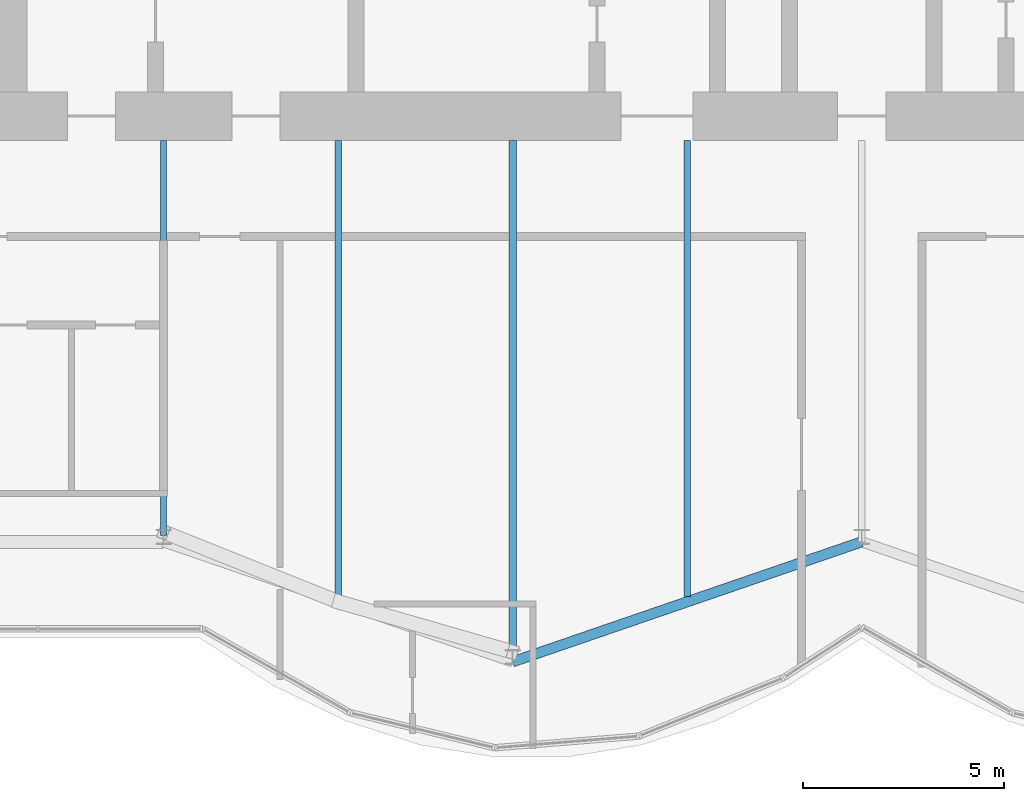
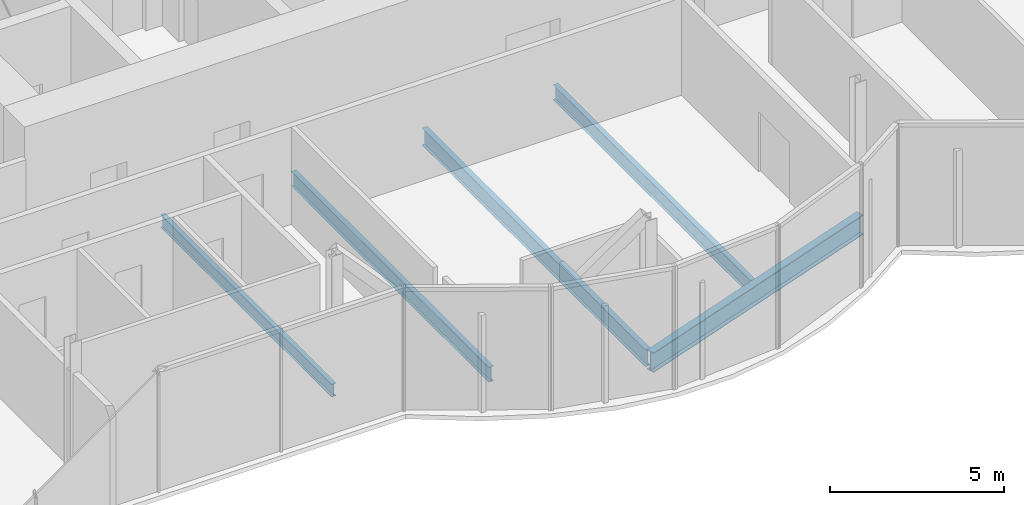
# One storey, part 4 of 16: 5 beams.
"""IFC4 building model written with IfcOpenShell, lengths in metres."""

from ifc_helpers import new_model, si_unit, direction, frame, origin, origin_2d, place, context, subcontext, project, spatial, i_section, extrude, material, material_profile, profile_set, type_object, element, save


model = new_model("IFC4")

# Units and contexts
model_context = context("Model", 3, precision=1e-05, world=origin(), true_north=direction((0.0, 1.0)))
body_context = subcontext(model_context, "Body", "Model", "MODEL_VIEW")
ifc_project = project(units=[si_unit("LENGTHUNIT", "METRE"), si_unit("AREAUNIT", "SQUARE_METRE"), si_unit("VOLUMEUNIT", "CUBIC_METRE"), si_unit("PLANEANGLEUNIT", "RADIAN"), si_unit("MASSUNIT", "GRAM", prefix="KILO")], contexts=[model_context])

# Site, building, storey
site_placement = place(None, origin())
site = spatial("IfcSite", under=ifc_project, at=site_placement, CompositionType="ELEMENT")
building_placement = place(site_placement, origin())
building = spatial("IfcBuilding", under=site, at=building_placement, Name="Bicima Exchange Tower", CompositionType="ELEMENT")
storey_placement = place(building_placement, frame((0.0, 0.0, 329.0)))
storey = spatial("IfcBuildingStorey", under=building, at=storey_placement, Name="L74", CompositionType="ELEMENT", Elevation=329.0)

# Beams
ifc_material = material(Name="Steel ASTM A992 Gr 50", Category="steel")
ifc_material_profile_1 = material_profile(ifc_material, i_section(OverallWidth=0.15283203125, OverallDepth=0.45458984375, WebThickness=0.008056640625, FlangeThickness=0.013427734375, at=origin_2d()))
ifc_profile_set_1 = profile_set([ifc_material_profile_1], Name="Steel ASTM A992 Gr 50")
beam_type_1 = type_object("IfcBeamType", Name="Floor beam W18x40", PredefinedType="JOIST", material=ifc_profile_set_1)
beam_1_placement = place(storey_placement, frame((-17.39990234375, -13.0, -0.377197265625), z_axis=(0.0, -1.0, 0.0), x_axis=(1.0, 0.0, 0.0)))
element("IfcBeam", 1, at=beam_1_placement, inside=storey, type_object=beam_type_1, Name="Floor beam", PredefinedType="JOIST", context=body_context, shape_type="SweptSolid", body=[
    extrude(i_section(OverallWidth=0.15283203125, OverallDepth=0.45458984375, WebThickness=0.008056640625, FlangeThickness=0.013427734375, at=origin_2d()), origin(), (0.0, 0.0, 1.0), 9.845458984375),
])
ifc_material_profile_2 = material_profile(ifc_material, i_section(OverallWidth=0.165771484375, OverallDepth=0.5283203125, WebThickness=0.009765625, FlangeThickness=0.013671875, at=origin_2d()))
ifc_profile_set_2 = profile_set([ifc_material_profile_2], Name="Steel ASTM A992 Gr 50")
beam_type_2 = type_object("IfcBeamType", Name="Floor beam W21x50", PredefinedType="JOIST", material=ifc_profile_set_2)
for number, where, z_axis, x_axis, name in (
    (2, (-13.050048828125, -13.0, -0.414306640625), (0.0, -1.0, 0.0), (1.0, 0.0, 0.0), "Floor beam"),
    (3, (-4.35009765625, -13.0, -0.414306640625), (0.0, -1.0, 0.0), (1.0, 0.0, 0.0), "Floor beam"),
):
    element("IfcBeam", number, at=place(storey_placement, frame(where, z_axis=z_axis, x_axis=x_axis)), inside=storey, type_object=beam_type_2, Name=name, PredefinedType="JOIST", context=body_context, shape_type="SweptSolid", body=[
        extrude(i_section(OverallWidth=0.165771484375, OverallDepth=0.5283203125, WebThickness=0.009765625, FlangeThickness=0.013671875, at=origin_2d()), origin(), (0.0, 0.0, 1.0), 11.367919921875),
    ])
ifc_material_profile_3 = material_profile(ifc_material, i_section(OverallWidth=0.177978515625, OverallDepth=0.599365234375, WebThickness=0.010009765625, FlangeThickness=0.012939453125, at=origin_2d()))
ifc_profile_set_3 = profile_set([ifc_material_profile_3], Name="Steel ASTM A992 Gr 50")
beam_type_3 = type_object("IfcBeamType", Name="Floor beam W24x55", PredefinedType="JOIST", material=ifc_profile_set_3)
beam_2_placement = place(storey_placement, frame((-8.699951171875, -13.0, -0.44970703125), z_axis=(0.0, -1.0, 0.0), x_axis=(1.0, 0.0, 0.0)))
element("IfcBeam", 4, at=beam_2_placement, inside=storey, type_object=beam_type_3, Name="Floor beam", PredefinedType="JOIST", context=body_context, shape_type="SweptSolid", body=[
    extrude(i_section(OverallWidth=0.177978515625, OverallDepth=0.599365234375, WebThickness=0.010009765625, FlangeThickness=0.012939453125, at=origin_2d()), origin(), (0.0, 0.0, 1.0), 12.86328125),
])
ifc_material_profile_4 = material_profile(ifc_material, i_section(OverallWidth=0.256591796875, OverallDepth=0.693359375, WebThickness=0.014404296875, FlangeThickness=0.023681640625, at=origin_2d()))
ifc_profile_set_4 = profile_set([ifc_material_profile_4], Name="Steel ASTM A992 Gr 50")
beam_type_4 = type_object("IfcBeamType", Name="Front girder W27x114", PredefinedType="BEAM", material=ifc_profile_set_4)
beam_3_placement = place(storey_placement, frame((-8.699951171875, -25.9990234375, -0.49658203125), z_axis=(0.945674616091, 0.32511462668, 0.0), x_axis=(-0.32511462668, 0.945674616091, 0.0)))
element("IfcBeam", 5, at=beam_3_placement, inside=storey, type_object=beam_type_4, Name="Front girder", PredefinedType="BEAM", context=body_context, shape_type="SweptSolid", body=[
    extrude(i_section(OverallWidth=0.256591796875, OverallDepth=0.693359375, WebThickness=0.014404296875, FlangeThickness=0.023681640625, at=origin_2d()), origin(), (0.0, 0.0, 1.0), 9.19970703125),
])

save(model, "model.ifc")
